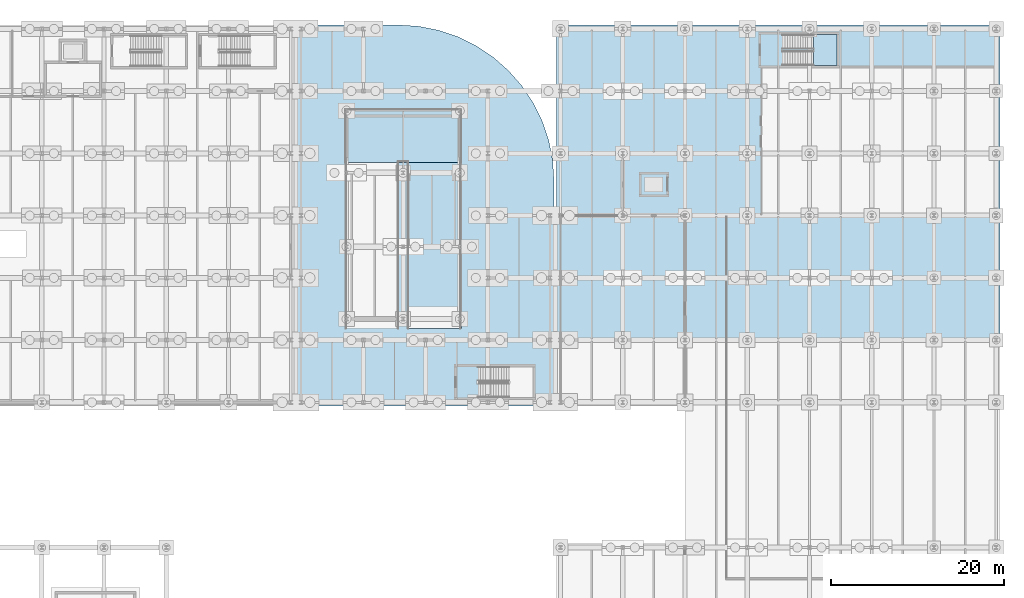
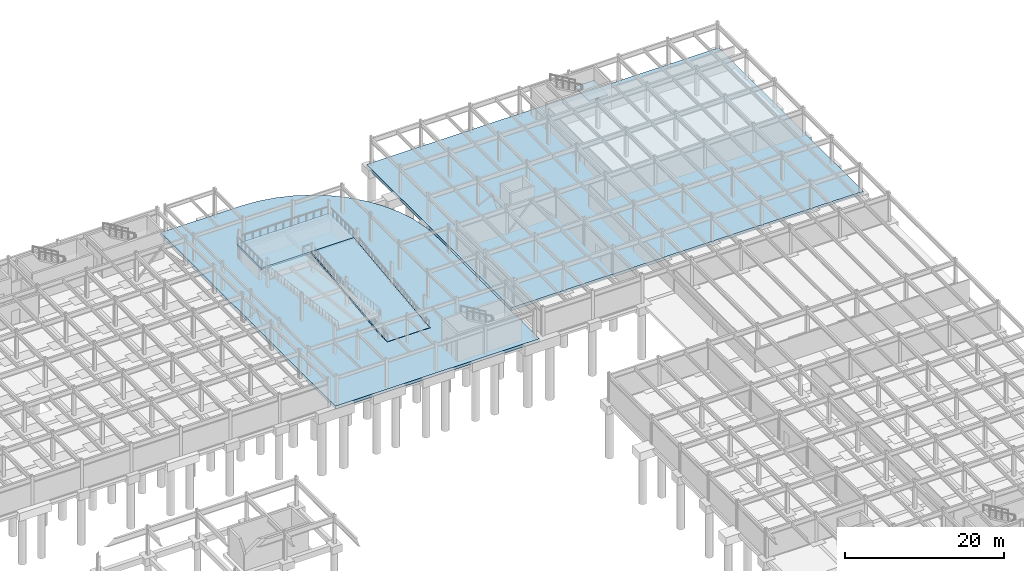
# One storey, part 37 of 54: 5 slabs, 1 element without a shape of its own.
"""IFC4 building model written with IfcOpenShell, lengths in metres."""

from ifc_helpers import new_model, si_unit, direction, frame, origin, place, context, subcontext, project, spatial, polyline, outline, extrude, material, layer, layer_set, type_object, element, aggregate, save


model = new_model("IFC4")

# Units and contexts
model_context = context("Model", 3, precision=1e-05, world=origin(), true_north=direction((0.0, 1.0)))
body_context = subcontext(model_context, "Body", "Model", "MODEL_VIEW")
ifc_project = project(units=[si_unit("LENGTHUNIT", "METRE"), si_unit("AREAUNIT", "SQUARE_METRE"), si_unit("VOLUMEUNIT", "CUBIC_METRE"), si_unit("PLANEANGLEUNIT", "RADIAN"), si_unit("MASSUNIT", "GRAM", prefix="KILO")], contexts=[model_context])

# Site, building, storey
site_placement = place(None, origin())
site = spatial("IfcSite", under=ifc_project, at=site_placement, CompositionType="ELEMENT")
building_placement = place(site_placement, origin())
building = spatial("IfcBuilding", under=site, at=building_placement, Name="Vaelcorin Mobility Hub", CompositionType="ELEMENT")
storey_placement = place(building_placement, frame((0.0, 0.0, -4.5)))
storey = spatial("IfcBuildingStorey", under=building, at=storey_placement, Name="B1", CompositionType="ELEMENT", Elevation=-4.5)

# Slabs
ifc_material_1 = material(Name="Concrete f'c 35 MPa", Category="concrete")
ifc_layer_1 = layer(ifc_material_1, 0.449951171875)
ifc_layer_set_1 = layer_set([ifc_layer_1], Name="Concrete f'c 35 MPa")
slab_type_1 = type_object("IfcSlabType", Name="SLAB-B1", PredefinedType="BASESLAB", material=ifc_layer_set_1)
slab_1_placement = place(storey_placement, frame((0.0, 0.0, -0.449951171875)))
element("IfcSlab", 1, at=slab_1_placement, inside=storey, type_object=slab_type_1, Name="B1 V2E Ramp Transition Deck SL-V2E-B1", PredefinedType="BASESLAB", context=body_context, shape_type="SweptSolid", body=[
    extrude(outline(polyline([(123.14990234375, 120.449951171875), (134.85009765625, 120.449951171875), (137.198974609375, 120.2958984375), (139.509033203125, 119.8369140625), (141.738037109375, 119.080078125), (143.85009765625, 118.0380859375), (145.80810546875, 116.72998046875), (147.577880859375, 115.177978515625), (149.1298828125, 113.407958984375), (150.43798828125, 111.449951171875), (151.47998046875, 109.337890625), (152.237060546875, 107.10888671875), (152.696044921875, 104.799072265625), (152.85009765625, 102.449951171875), (152.85009765625, 76.35009765625), (123.14990234375, 76.35009765625), (123.14990234375, 120.449951171875)]), holes=[polyline([(142.139892578125, 87.919921875), (135.860107421875, 87.919921875), (135.860107421875, 85.320068359375), (142.139892578125, 85.320068359375), (142.139892578125, 87.919921875)])]), origin(), (0.0, 0.0, 1.0), 0.449951171875),
])
slab_2_placement = place(storey_placement, frame((0.0, 0.0, -0.449951171875)))
element("IfcSlab", 2, at=slab_2_placement, inside=storey, type_object=slab_type_1, Name="B1 Mobility Workshop Floor SL-V5-B1-N", PredefinedType="BASESLAB", context=body_context, shape_type="SweptSolid", body=[
    extrude(outline(polyline([(153.14990234375, 84.0), (153.14990234375, 120.449951171875), (204.449951171875, 120.449951171875), (204.449951171875, 84.0), (153.14990234375, 84.0)])), origin(), (0.0, 0.0, 1.0), 0.449951171875),
])

# Stair, slab
ifc_material_2 = material(Name="Reinforced concrete f'c 45 MPa", Category="concrete")
stair_type = type_object("IfcStairType", Name="STAIR-ST6", PredefinedType="HALF_TURN_STAIR", material=ifc_material_2)
stair_placement = place(storey_placement, origin())
stair = element("IfcStair", 3, at=stair_placement, inside=storey, type_object=stair_type, Name="B1 Protected Exit Stair ST6", PredefinedType="HALF_TURN_STAIR")
ifc_layer_2 = layer(ifc_material_2, 0.199951171875)
ifc_layer_set_2 = layer_set([ifc_layer_2], Name="Reinforced concrete f'c 45 MPa")
slab_type_2 = type_object("IfcSlabType", Name="SLAB-LND-200", PredefinedType="LANDING", material=ifc_layer_set_2)
slab_3_placement = place(storey_placement, frame((0.0, 0.0, 2.050048828125)))
slab_3 = element("IfcSlab", 4, at=slab_3_placement, type_object=slab_type_2, Name="ST6 landing 1", PredefinedType="LANDING", context=body_context, shape_type="SweptSolid", body=[
    extrude(outline(polyline([(182.85009765625, 115.75), (185.60009765625, 115.75), (185.60009765625, 119.35009765625), (182.85009765625, 119.35009765625), (182.85009765625, 115.75)])), origin(), (0.0, 0.0, 1.0), 0.199951171875),
])
aggregate(stair, [slab_3])

# Slabs
ifc_layer_3 = layer(ifc_material_1, 0.25)
ifc_layer_set_3 = layer_set([ifc_layer_3], Name="Concrete f'c 35 MPa")
slab_type_3 = type_object("IfcSlabType", Name="SLAB-RMP", PredefinedType="FLOOR", material=ifc_layer_set_3)
slab_4_placement = place(storey_placement, frame((0.0, 0.0, 1.969970703125)))
element("IfcSlab", 5, at=slab_4_placement, inside=storey, type_object=slab_type_3, Name="Vehicle Ramp VR-2 B1 Half-Turn Landing", PredefinedType="LANDING", context=body_context, shape_type="SweptSolid", body=[
    extrude(outline(polyline([(128.64990234375, 104.56005859375), (142.14990234375, 104.56005859375), (142.14990234375, 110.75), (128.64990234375, 110.75), (128.64990234375, 104.56005859375)])), origin(), (0.0, 0.0, 1.0), 0.280029296875),
])
ifc_layer_4 = layer(ifc_material_1, 0.280029296875)
ifc_layer_set_4 = layer_set([ifc_layer_4], Name="Concrete f'c 35 MPa")
slab_type_4 = type_object("IfcSlabType", Name="SLAB-RMP-VR2", PredefinedType="FLOOR", material=ifc_layer_set_4)
slab_5_placement = place(storey_placement, frame((135.89990234375, 85.360107421875, 0.0), z_axis=(0.0, -0.116511161366, 0.993189382382), x_axis=(1.0, 0.0, 0.0)))
element("IfcSlab", 6, at=slab_5_placement, inside=storey, type_object=slab_type_4, Name="Vehicle Ramp VR-2 Slab B1 Flight 1", PredefinedType="FLOOR", context=body_context, shape_type="SweptSolid", body=[
    extrude(outline(polyline([(0.0, 0.0), (6.2001953125, 0.0), (6.2001953125, 19.31145457336262), (0.0, 19.31145457336262), (0.0, 0.0)])), origin(), (0.0, 0.0, -1.0), 0.280029296875),
])

save(model, "model.ifc")
